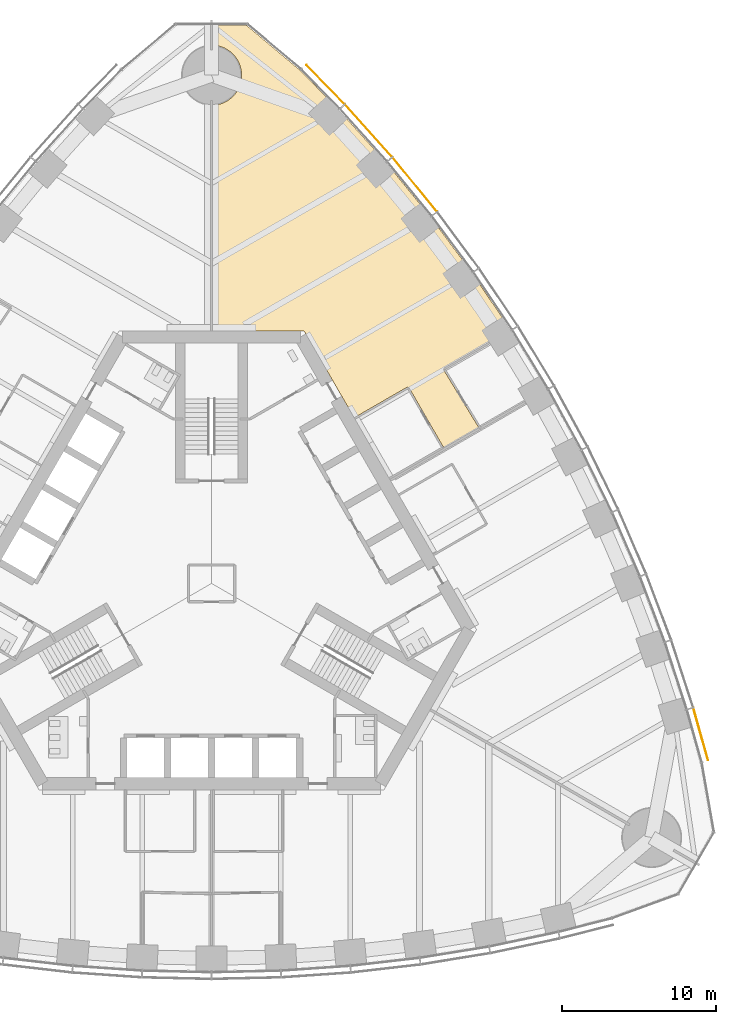
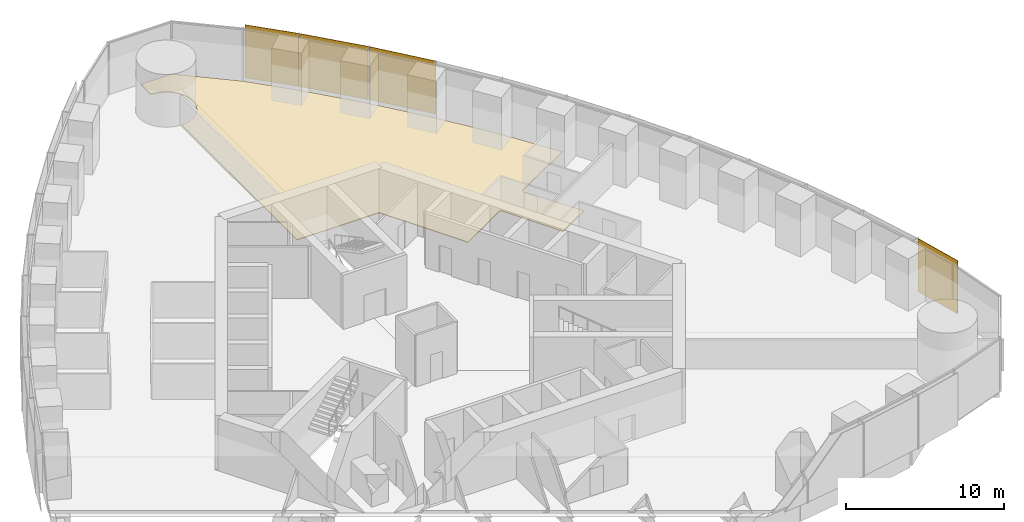
# One storey, part 16 of 18: 4 shading devices, 1 covering.
"""IFC4 building model written with IfcOpenShell, lengths in metres."""

from ifc_helpers import new_model, si_unit, direction, frame, origin, origin_2d, place, context, subcontext, project, spatial, polyline, rectangle, outline, extrude, material, layer, layer_set, type_object, element, save


model = new_model("IFC4")

# Units and contexts
model_context = context("Model", 3, precision=1e-05, world=origin(), true_north=direction((0.0, 1.0)))
body_context = subcontext(model_context, "Body", "Model", "MODEL_VIEW")
ifc_project = project(units=[si_unit("LENGTHUNIT", "METRE"), si_unit("AREAUNIT", "SQUARE_METRE"), si_unit("VOLUMEUNIT", "CUBIC_METRE"), si_unit("PLANEANGLEUNIT", "RADIAN"), si_unit("MASSUNIT", "GRAM", prefix="KILO")], contexts=[model_context])

# Site, building, storey
site_placement = place(None, origin())
site = spatial("IfcSite", under=ifc_project, at=site_placement, CompositionType="ELEMENT")
building_placement = place(site_placement, origin())
building = spatial("IfcBuilding", under=site, at=building_placement, Name="Trefoil Bronze Tower", CompositionType="ELEMENT")
storey_placement = place(building_placement, frame((0.0, 0.0, 202.300048828125)))
storey = spatial("IfcBuildingStorey", under=building, at=storey_placement, Name="L46", CompositionType="ELEMENT", Elevation=202.300048828125)

# Shading devices
ifc_material_1 = material(Name="Perforated bronze sheet", Category="bronze")
ifc_layer_1 = layer(ifc_material_1, 0.0400390625)
ifc_layer_set_1 = layer_set([ifc_layer_1], Name="Bronze solar screen panel")
shading_device_type = type_object("IfcShadingDeviceType", Name="Bronze solar screen panel", PredefinedType="SHUTTER", material=ifc_layer_set_1)
shading_device_1_placement = place(storey_placement, frame((31.764892578125, -9.7890625, 0.0498046875), z_axis=(0.0, 0.0, 1.0), x_axis=(-0.270282222968, 0.962781138134, 0.0)))
element("IfcShadingDevice", 1, at=shading_device_1_placement, inside=storey, type_object=shading_device_type, Name="Solar screen CW-A L46 F2 bay 1", PredefinedType="SHUTTER", context=body_context, shape_type="SweptSolid", body=[
    extrude(rectangle(XDim=3.53369140625, YDim=0.0400390625, at=origin_2d()), origin(), (0.0, 0.0, 1.0), 4.10009765625),
])
shading_device_2_placement = place(storey_placement, frame((13.197509765625, 25.90625, 0.0498046875), z_axis=(0.0, 0.0, 1.0), x_axis=(-0.63275261301, 0.774354008661, 0.0)))
element("IfcShadingDevice", 2, at=shading_device_2_placement, inside=storey, type_object=shading_device_type, Name="Solar screen CW-A L46 F2 bay 10", PredefinedType="SHUTTER", context=body_context, shape_type="SweptSolid", body=[
    extrude(rectangle(XDim=4.529296875, YDim=0.0400390625, at=origin_2d()), origin(), (0.0, 0.0, 1.0), 4.10009765625),
])
shading_device_3_placement = place(storey_placement, frame((10.20166015625, 29.401611328125, 0.0498046875), z_axis=(0.0, 0.0, 1.0), x_axis=(-0.668245744076, 0.743940606181, 0.0)))
element("IfcShadingDevice", 3, at=shading_device_3_placement, inside=storey, type_object=shading_device_type, Name="Solar screen CW-A L46 F2 bay 11", PredefinedType="SHUTTER", context=body_context, shape_type="SweptSolid", body=[
    extrude(rectangle(XDim=4.5693359375, YDim=0.0400390625, at=origin_2d()), origin(), (0.0, 0.0, 1.0), 4.10009765625),
])
shading_device_4_placement = place(storey_placement, frame((7.40478515625, 32.40380859375, 0.0498046875), z_axis=(0.0, 0.0, 1.0), x_axis=(-0.698651812425, 0.715461840349, 0.0)))
element("IfcShadingDevice", 4, at=shading_device_4_placement, inside=storey, type_object=shading_device_type, Name="Solar screen CW-A L46 F2 bay 12", PredefinedType="SHUTTER", context=body_context, shape_type="SweptSolid", body=[
    extrude(rectangle(XDim=3.53369140625, YDim=0.0400390625, at=origin_2d()), origin(), (0.0, 0.0, 1.0), 4.10009765625),
])

# Covering
ifc_material_2 = material(Name="Raised access floor panels", Category="steel")
ifc_layer_2 = layer(ifc_material_2, 0.050048828125)
ifc_layer_set_2 = layer_set([ifc_layer_2], Name="Raised access floor 150")
covering_type = type_object("IfcCoveringType", Name="Raised access floor 150", PredefinedType="FLOORING", material=ifc_layer_set_2)
covering_placement = place(storey_placement, frame((0.0, 0.0, 0.099853515625)))
element("IfcCovering", 5, at=covering_placement, inside=storey, type_object=covering_type, Name="Raised floor L46 Open-plan office F2", PredefinedType="FLOORING", context=body_context, shape_type="SweptSolid", body=[
    extrude(outline(polyline([(14.2216796875, 23.79931640625), (16.92236328125, 20.162353515625), (19.44140625, 16.420654296875), (18.0283203125, 15.60498046875), (17.998291015625, 15.65673828125), (15.081298828125, 13.97265625), (15.111328125, 13.920654296875), (15.060302734375, 13.889404296875), (17.360107421875, 10.109375), (15.03125, 8.764892578125), (15.00634765625, 8.808349609375), (15.058349609375, 8.83837890625), (12.808349609375, 12.7353515625), (12.75634765625, 12.705322265625), (12.726318359375, 12.75732421875), (9.26220703125, 10.75732421875), (6.00439453125, 16.39990234375), (0.006103515625, 16.39990234375), (0.01171875, 31.05029296875), (0.095703125, 31.05224609375), (0.191162109375, 31.059326171875), (0.2861328125, 31.071044921875), (0.38037109375, 31.08740234375), (0.473876953125, 31.1083984375), (0.566162109375, 31.134033203125), (0.656982421875, 31.1640625), (0.74609375, 31.198486328125), (0.833740234375, 31.2373046875), (0.919189453125, 31.2802734375), (1.00244140625, 31.327392578125), (1.08349609375, 31.378662109375), (1.16162109375, 31.43359375), (1.237060546875, 31.49267578125), (1.3095703125, 31.55517578125), (1.37890625, 31.62109375), (1.44482421875, 31.6904296875), (1.50732421875, 31.762939453125), (1.56640625, 31.83837890625), (1.621337890625, 31.91650390625), (1.672607421875, 31.99755859375), (1.7197265625, 32.080810546875), (1.7626953125, 32.166259765625), (1.801513671875, 32.25390625), (1.8359375, 32.343017578125), (1.865966796875, 32.433837890625), (1.8916015625, 32.526123046875), (1.91259765625, 32.61962890625), (1.928955078125, 32.7138671875), (1.940673828125, 32.808837890625), (1.94775390625, 32.904296875), (1.949951171875, 33.0), (1.94775390625, 33.095703125), (1.940673828125, 33.191162109375), (1.928955078125, 33.2861328125), (1.91259765625, 33.38037109375), (1.8916015625, 33.473876953125), (1.865966796875, 33.566162109375), (1.8359375, 33.656982421875), (1.801513671875, 33.74609375), (1.7626953125, 33.833740234375), (1.7197265625, 33.919189453125), (1.672607421875, 34.00244140625), (1.621337890625, 34.08349609375), (1.56640625, 34.16162109375), (1.50732421875, 34.237060546875), (1.44482421875, 34.3095703125), (1.37890625, 34.37890625), (1.3095703125, 34.44482421875), (1.237060546875, 34.50732421875), (1.16162109375, 34.56640625), (1.08349609375, 34.621337890625), (1.00244140625, 34.672607421875), (0.919189453125, 34.7197265625), (0.833740234375, 34.7626953125), (0.74609375, 34.801513671875), (0.656982421875, 34.8359375), (0.566162109375, 34.865966796875), (0.473876953125, 34.8916015625), (0.38037109375, 34.91259765625), (0.2861328125, 34.928955078125), (0.191162109375, 34.940673828125), (0.095703125, 34.94775390625), (0.01318359375, 34.94970703125), (0.013671875, 36.232666015625), (2.280029296875, 36.232666015625), (5.7734375, 33.30126953125), (8.26318359375, 30.751708984375), (11.3369140625, 27.329833984375), (14.2216796875, 23.79931640625)])), origin(), (0.0, 0.0, 1.0), 0.050048828125),
])

save(model, "model.ifc")
